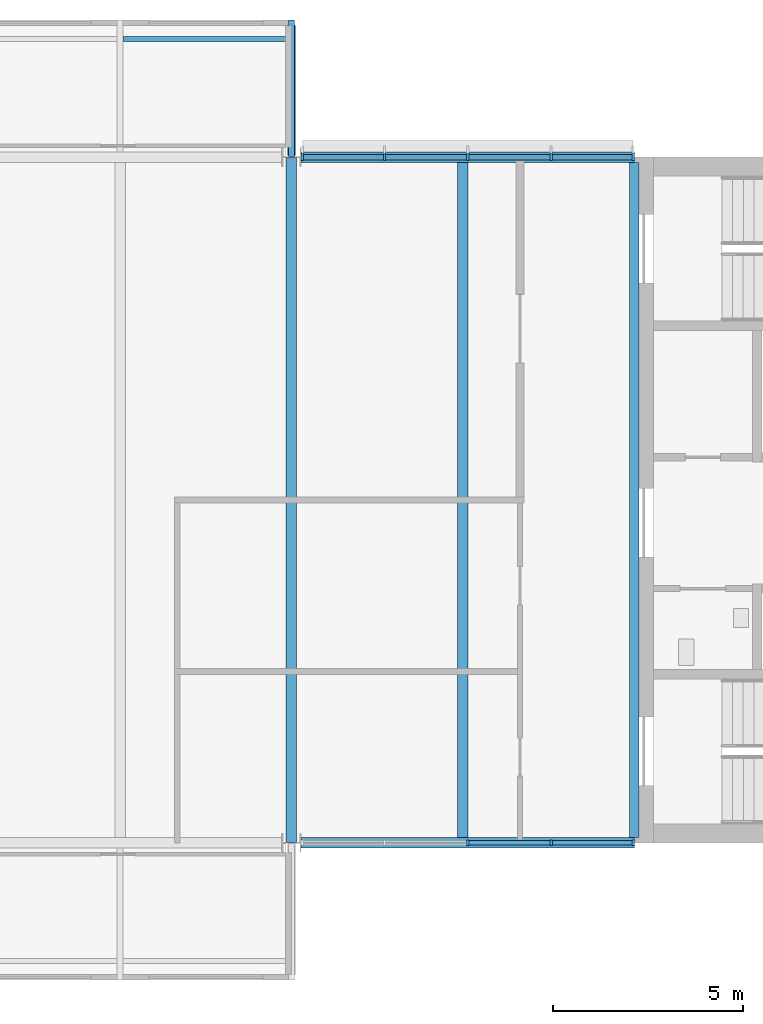
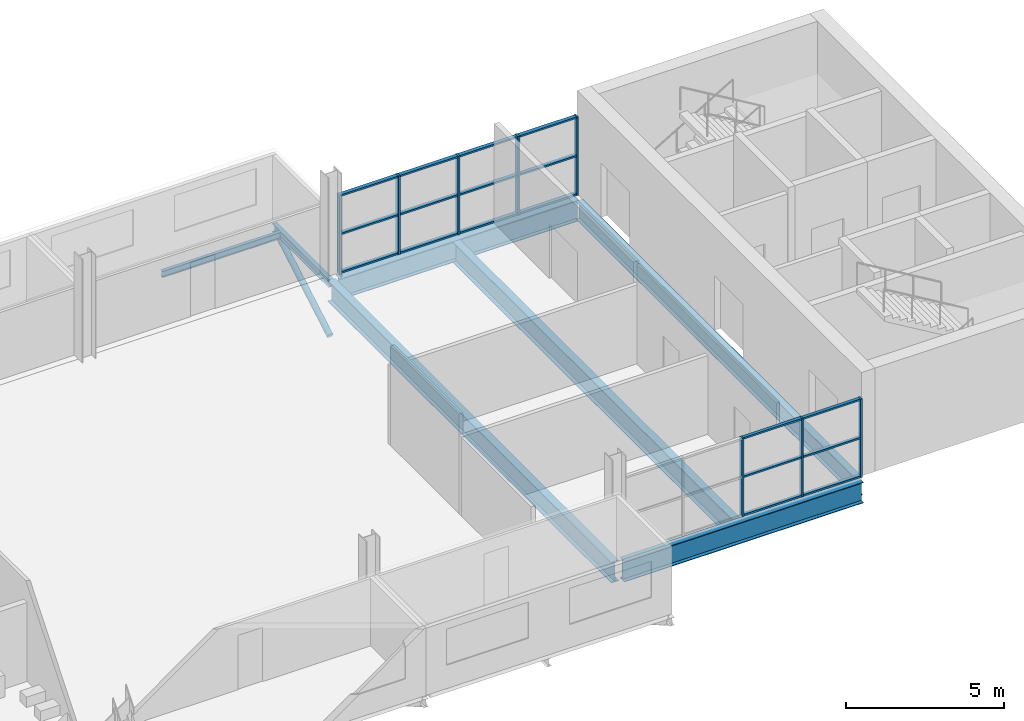
# One storey, part 3 of 10: 27 members, 7 beams, 2 elements without a shape of their own.
"""IFC4 building model written with IfcOpenShell, lengths in metres."""

from ifc_helpers import new_model, si_unit, direction, frame, origin, origin_2d, place, context, subcontext, project, spatial, rectangle, hollow_circle, i_section, extrude, material, layer, layer_set, material_profile, profile_set, type_object, element, aggregate, save


model = new_model("IFC4")

# Units and contexts
model_context = context("Model", 3, precision=1e-05, world=origin(), true_north=direction((0.0, 1.0)))
body_context = subcontext(model_context, "Body", "Model", "MODEL_VIEW")
ifc_project = project(units=[si_unit("LENGTHUNIT", "METRE"), si_unit("AREAUNIT", "SQUARE_METRE"), si_unit("VOLUMEUNIT", "CUBIC_METRE"), si_unit("PLANEANGLEUNIT", "RADIAN"), si_unit("MASSUNIT", "GRAM", prefix="KILO")], contexts=[model_context])

# Site, building, storey
site_placement = place(None, origin())
site = spatial("IfcSite", under=ifc_project, at=site_placement, CompositionType="ELEMENT")
building_placement = place(site_placement, origin())
building = spatial("IfcBuilding", under=site, at=building_placement, Name="Corbel Yard City Hall", CompositionType="ELEMENT")
storey_placement = place(building_placement, frame((0.0, 0.0, 19.199951171875)))
storey = spatial("IfcBuildingStorey", under=building, at=storey_placement, Name="L04", CompositionType="ELEMENT", Elevation=19.199951171875)

# Beams
ifc_material_1 = material(Name="Steel Grade 350", Category="steel")
ifc_material_profile_1 = material_profile(ifc_material_1, i_section(OverallWidth=0.27490234375, OverallDepth=0.81005859375, WebThickness=0.010009765625, FlangeThickness=0.02490234375, at=origin_2d()), Name="800WB168")
ifc_profile_set_1 = profile_set([ifc_material_profile_1], Name="Steel Grade 350")
beam_type_1 = type_object("IfcBeamType", Name="Edge beam 800WB168", PredefinedType="BEAM", material=ifc_profile_set_1)
for number, where, z_axis, x_axis, name in (
    (1, (36.257080078125, 99.0, -0.554931640625), (1.0, 0.0, 0.0), (0.0, 1.0, 0.0), "Edge beam 800WB168 EB3 L04tower"),
    (2, (36.257080078125, 117.0, -0.554931640625), (1.0, 0.0, 0.0), (0.0, 1.0, 0.0), "Edge beam 800WB168 EB3 L04tower"),
):
    element("IfcBeam", number, at=place(storey_placement, frame(where, z_axis=z_axis, x_axis=x_axis)), inside=storey, type_object=beam_type_1, Name=name, PredefinedType="BEAM", context=body_context, shape_type="SweptSolid", body=[
        extrude(i_section(OverallWidth=0.27490234375, OverallDepth=0.81005859375, WebThickness=0.010009765625, FlangeThickness=0.02490234375, at=origin_2d()), origin(), (0.0, 0.0, 1.0), 8.742919921875),
    ])
ifc_material_profile_2 = material_profile(ifc_material_1, i_section(OverallWidth=0.27490234375, OverallDepth=0.800048828125, WebThickness=0.010009765625, FlangeThickness=0.02001953125, at=origin_2d()), Name="800WB146")
ifc_profile_set_2 = profile_set([ifc_material_profile_2], Name="Steel Grade 350")
beam_type_2 = type_object("IfcBeamType", Name="Long-span beam 800WB146", PredefinedType="BEAM", material=ifc_profile_set_2)
beam_1_placement = place(storey_placement, frame((36.0, 99.012451171875, -0.550048828125), z_axis=(0.0, 1.0, 0.0), x_axis=(-1.0, 0.0, 0.0)))
element("IfcBeam", 3, at=beam_1_placement, inside=storey, type_object=beam_type_2, Name="Long-span beam 800WB146 SB8 L04tower", PredefinedType="BEAM", context=body_context, shape_type="SweptSolid", body=[
    extrude(i_section(OverallWidth=0.27490234375, OverallDepth=0.800048828125, WebThickness=0.010009765625, FlangeThickness=0.02001953125, at=origin_2d()), origin(), (0.0, 0.0, 1.0), 17.97509765625),
])
ifc_material_profile_3 = material_profile(ifc_material_1, i_section(OverallWidth=0.25, OverallDepth=0.7099609375, WebThickness=0.010009765625, FlangeThickness=0.02490234375, at=origin_2d()), Name="700WB150")
ifc_profile_set_3 = profile_set([ifc_material_profile_3], Name="Steel Grade 350")
beam_type_3 = type_object("IfcBeamType", Name="Long-span edge beam 700WB150", PredefinedType="BEAM", material=ifc_profile_set_3)
beam_2_placement = place(storey_placement, frame((45.0, 99.137451171875, -0.5048828125), z_axis=(0.0, 1.0, 0.0), x_axis=(-1.0, 0.0, 0.0)))
element("IfcBeam", 4, at=beam_2_placement, inside=storey, type_object=beam_type_3, Name="Long-span edge beam 700WB150 EB8 L04tower", PredefinedType="BEAM", context=body_context, shape_type="SweptSolid", body=[
    extrude(i_section(OverallWidth=0.25, OverallDepth=0.7099609375, WebThickness=0.010009765625, FlangeThickness=0.02490234375, at=origin_2d()), origin(), (0.0, 0.0, 1.0), 17.72509765625),
])
ifc_material_profile_4 = material_profile(ifc_material_1, i_section(OverallWidth=0.27490234375, OverallDepth=0.800048828125, WebThickness=0.010009765625, FlangeThickness=0.02001953125, at=origin_2d()), Name="800WB146")
ifc_profile_set_4 = profile_set([ifc_material_profile_4], Name="Steel Grade 350")
beam_type_4 = type_object("IfcBeamType", Name="Long-span secondary beam 800WB146", PredefinedType="JOIST", material=ifc_profile_set_4)
beam_3_placement = place(storey_placement, frame((40.5, 99.137451171875, -0.550048828125), z_axis=(0.0, 1.0, 0.0), x_axis=(-1.0, 0.0, 0.0)))
element("IfcBeam", 5, at=beam_3_placement, inside=storey, type_object=beam_type_4, Name="Long-span secondary beam 800WB146 SB7 L04tower", PredefinedType="JOIST", context=body_context, shape_type="SweptSolid", body=[
    extrude(i_section(OverallWidth=0.27490234375, OverallDepth=0.800048828125, WebThickness=0.010009765625, FlangeThickness=0.02001953125, at=origin_2d()), origin(), (0.0, 0.0, 1.0), 17.72509765625),
])

# Curtain wall, members
ifc_material_2 = material(Name="Aluminium extrusion", Category="aluminium")
ifc_layer_1 = layer(ifc_material_2, 0.14990234375)
ifc_layer_set_1 = layer_set([ifc_layer_1], Name="Aluminium extrusion")
curtain_wall_type_1 = type_object("IfcCurtainWallType", Name="CW2", PredefinedType="USERDEFINED", material=ifc_layer_set_1)
curtain_wall_1_placement = place(storey_placement, origin())
curtain_wall_1 = element("IfcCurtainWall", 6, at=curtain_wall_1_placement, inside=storey, type_object=curtain_wall_type_1, Name="Curtain wall CW2 L04", ObjectType="CURTAIN WALL", PredefinedType="USERDEFINED")
ifc_material_profile_5 = material_profile(ifc_material_2, rectangle(XDim=0.14990234375, YDim=0.06494140625, at=origin_2d()), Name="150x65")
ifc_profile_set_5 = profile_set([ifc_material_profile_5], Name="Aluminium extrusion")
member_type_1 = type_object("IfcMemberType", Name="ML2", PredefinedType="MULLION", material=ifc_profile_set_5)
member_1_placement = place(storey_placement, frame((40.62841796875, 99.0, 0.0), z_axis=(0.0, 0.0, 1.0), x_axis=(0.0, 1.0, 0.0)))
member_1 = element("IfcMember", 7, at=member_1_placement, type_object=member_type_1, Name="CW2 mullion 3", PredefinedType="MULLION", context=body_context, shape_type="SweptSolid", body=[
    extrude(rectangle(XDim=0.14990234375, YDim=0.06494140625, at=origin_2d()), origin(), (0.0, 0.0, 1.0), 3.0400390625),
])
member_2_placement = place(storey_placement, frame((42.814208984375, 99.0, 0.0), z_axis=(0.0, 0.0, 1.0), x_axis=(0.0, 1.0, 0.0)))
member_2 = element("IfcMember", 8, at=member_2_placement, type_object=member_type_1, Name="CW2 mullion 4", PredefinedType="MULLION", context=body_context, shape_type="SweptSolid", body=[
    extrude(rectangle(XDim=0.14990234375, YDim=0.06494140625, at=origin_2d()), origin(), (0.0, 0.0, 1.0), 3.0400390625),
])
member_3_placement = place(storey_placement, frame((44.967529296875, 99.0, 0.0), z_axis=(0.0, 0.0, 1.0), x_axis=(0.0, 1.0, 0.0)))
member_3 = element("IfcMember", 9, at=member_3_placement, type_object=member_type_1, Name="CW2 mullion 5", PredefinedType="MULLION", context=body_context, shape_type="SweptSolid", body=[
    extrude(rectangle(XDim=0.14990234375, YDim=0.06494140625, at=origin_2d()), origin(), (0.0, 0.0, 1.0), 3.0400390625),
])

ifc_layer_2 = layer(ifc_material_2, 0.179931640625)
ifc_layer_set_2 = layer_set([ifc_layer_2], Name="Aluminium extrusion")
curtain_wall_type_2 = type_object("IfcCurtainWallType", Name="CW6", PredefinedType="USERDEFINED", material=ifc_layer_set_2)
curtain_wall_2_placement = place(storey_placement, origin())
curtain_wall_2 = element("IfcCurtainWall", 10, at=curtain_wall_2_placement, inside=storey, type_object=curtain_wall_type_2, Name="Curtain wall CW6 L04", ObjectType="CURTAIN WALL", PredefinedType="USERDEFINED")
ifc_material_profile_6 = material_profile(ifc_material_2, rectangle(XDim=0.179931640625, YDim=0.06494140625, at=origin_2d()), Name="180x65")
ifc_profile_set_6 = profile_set([ifc_material_profile_6], Name="Aluminium extrusion")
member_type_2 = type_object("IfcMemberType", Name="ML6", PredefinedType="MULLION", material=ifc_profile_set_6)
member_4_placement = place(storey_placement, frame((36.28955078125, 117.0, 0.0), z_axis=(0.0, 0.0, 1.0), x_axis=(0.0, 1.0, 0.0)))
member_4 = element("IfcMember", 11, at=member_4_placement, type_object=member_type_2, Name="CW6 mullion 1", PredefinedType="MULLION", context=body_context, shape_type="SweptSolid", body=[
    extrude(rectangle(XDim=0.179931640625, YDim=0.06494140625, at=origin_2d()), origin(), (0.0, 0.0, 1.0), 3.0400390625),
])
member_5_placement = place(storey_placement, frame((38.44287109375, 117.0, 0.0), z_axis=(0.0, 0.0, 1.0), x_axis=(0.0, 1.0, 0.0)))
member_5 = element("IfcMember", 12, at=member_5_placement, type_object=member_type_2, Name="CW6 mullion 2", PredefinedType="MULLION", context=body_context, shape_type="SweptSolid", body=[
    extrude(rectangle(XDim=0.179931640625, YDim=0.06494140625, at=origin_2d()), origin(), (0.0, 0.0, 1.0), 3.0400390625),
])
member_6_placement = place(storey_placement, frame((40.62841796875, 117.0, 0.0), z_axis=(0.0, 0.0, 1.0), x_axis=(0.0, 1.0, 0.0)))
member_6 = element("IfcMember", 13, at=member_6_placement, type_object=member_type_2, Name="CW6 mullion 3", PredefinedType="MULLION", context=body_context, shape_type="SweptSolid", body=[
    extrude(rectangle(XDim=0.179931640625, YDim=0.06494140625, at=origin_2d()), origin(), (0.0, 0.0, 1.0), 3.0400390625),
])
member_7_placement = place(storey_placement, frame((42.814208984375, 117.0, 0.0), z_axis=(0.0, 0.0, 1.0), x_axis=(0.0, 1.0, 0.0)))
member_7 = element("IfcMember", 14, at=member_7_placement, type_object=member_type_2, Name="CW6 mullion 4", PredefinedType="MULLION", context=body_context, shape_type="SweptSolid", body=[
    extrude(rectangle(XDim=0.179931640625, YDim=0.06494140625, at=origin_2d()), origin(), (0.0, 0.0, 1.0), 3.0400390625),
])
member_8_placement = place(storey_placement, frame((44.967529296875, 117.0, 0.0), z_axis=(0.0, 0.0, 1.0), x_axis=(0.0, 1.0, 0.0)))
member_8 = element("IfcMember", 15, at=member_8_placement, type_object=member_type_2, Name="CW6 mullion 5", PredefinedType="MULLION", context=body_context, shape_type="SweptSolid", body=[
    extrude(rectangle(XDim=0.179931640625, YDim=0.06494140625, at=origin_2d()), origin(), (0.0, 0.0, 1.0), 3.0400390625),
])

# Member
ifc_material_3 = material(Name="Steel Grade C350L0", Category="steel")
ifc_material_profile_7 = material_profile(ifc_material_3, hollow_circle(Radius=0.109619140625, WallThickness=0.00830078125, at=origin_2d()), Name="219.1x8.2CHS")
ifc_profile_set_7 = profile_set([ifc_material_profile_7], Name="Steel Grade C350L0")
member_type_3 = type_object("IfcMemberType", Name="Pod knee brace", PredefinedType="BRACE", material=ifc_profile_set_7)
member_9_placement = place(storey_placement, frame((36.0, 120.43994140625, -0.4169921875), z_axis=(0.0, -0.864719662222, -0.502254821546), x_axis=(1.0, 0.0, 0.0)))
element("IfcMember", 16, at=member_9_placement, inside=storey, type_object=member_type_3, Name="Pod knee brace", PredefinedType="BRACE", context=body_context, shape_type="SweptSolid", body=[
    extrude(hollow_circle(Radius=0.109619140625, WallThickness=0.00830078125, at=origin_2d()), origin(), (0.0, 0.0, 1.0), 3.89990234375),
])

# Beams
ifc_material_4 = material(Name="Steel Grade 300 (300 MPa yield)", Category="steel")
ifc_material_profile_8 = material_profile(ifc_material_4, i_section(OverallWidth=0.166015625, OverallDepth=0.306884765625, WebThickness=0.006591796875, FlangeThickness=0.01171875, at=origin_2d()), Name="310UB46.2")
ifc_profile_set_8 = profile_set([ifc_material_profile_8], Name="Steel Grade 300 (300 MPa yield)")
beam_type_5 = type_object("IfcBeamType", Name="Pod stub beam 310UB46.2", PredefinedType="BEAM", material=ifc_profile_set_8)
beam_4_placement = place(storey_placement, frame((36.0, 117.012451171875, -0.303466796875), z_axis=(0.0, 1.0, 0.0), x_axis=(-1.0, 0.0, 0.0)))
element("IfcBeam", 17, at=beam_4_placement, inside=storey, type_object=beam_type_5, Name="Pod stub 310UB46.2 CB1 L04", PredefinedType="BEAM", context=body_context, shape_type="SweptSolid", body=[
    extrude(i_section(OverallWidth=0.166015625, OverallDepth=0.306884765625, WebThickness=0.006591796875, FlangeThickness=0.01171875, at=origin_2d()), origin(), (0.0, 0.0, 1.0), 3.587646484375),
])
ifc_material_profile_9 = material_profile(ifc_material_4, i_section(OverallWidth=0.1240234375, OverallDepth=0.248046875, WebThickness=0.0048828125, FlangeThickness=0.008056640625, at=origin_2d()), Name="250UB25.7")
ifc_profile_set_9 = profile_set([ifc_material_profile_9], Name="Steel Grade 300 (300 MPa yield)")
beam_type_6 = type_object("IfcBeamType", Name="Pod tip beam", PredefinedType="BEAM", material=ifc_profile_set_9)
beam_5_placement = place(storey_placement, frame((31.5830078125, 120.10009765625, -0.27392578125), z_axis=(1.0, 0.0, 0.0), x_axis=(0.0, 1.0, 0.0)))
element("IfcBeam", 18, at=beam_5_placement, inside=storey, type_object=beam_type_6, Name="Pod tip beam", PredefinedType="BEAM", context=body_context, shape_type="SweptSolid", body=[
    extrude(i_section(OverallWidth=0.1240234375, OverallDepth=0.248046875, WebThickness=0.0048828125, FlangeThickness=0.008056640625, at=origin_2d()), origin(), (0.0, 0.0, 1.0), 4.333984375),
])

# Member
ifc_material_profile_10 = material_profile(ifc_material_2, rectangle(XDim=0.1201171875, YDim=0.06494140625, at=origin_2d()), Name="120x65")
ifc_profile_set_10 = profile_set([ifc_material_profile_10], Name="Aluminium extrusion")
member_type_4 = type_object("IfcMemberType", Name="TR2", PredefinedType="USERDEFINED", material=ifc_profile_set_10)
member_10_placement = place(storey_placement, frame((40.660888671875, 99.0, 0.032470703125), z_axis=(1.0, 0.0, 0.0), x_axis=(0.0, 1.0, 0.0)))
member_10 = element("IfcMember", 19, at=member_10_placement, type_object=member_type_4, Name="CW2 transom 3.1", ObjectType="TRANSOM", PredefinedType="USERDEFINED", context=body_context, shape_type="SweptSolid", body=[
    extrude(rectangle(XDim=0.1201171875, YDim=0.06494140625, at=origin_2d()), origin(), (0.0, 0.0, 1.0), 2.120849609375),
])

member_11_placement = place(storey_placement, frame((40.660888671875, 99.0, 1.52001953125), z_axis=(1.0, 0.0, 0.0), x_axis=(0.0, 1.0, 0.0)))
member_11 = element("IfcMember", 20, at=member_11_placement, type_object=member_type_4, Name="CW2 transom 3.2", ObjectType="TRANSOM", PredefinedType="USERDEFINED", context=body_context, shape_type="SweptSolid", body=[
    extrude(rectangle(XDim=0.1201171875, YDim=0.06494140625, at=origin_2d()), origin(), (0.0, 0.0, 1.0), 2.120849609375),
])

member_12_placement = place(storey_placement, frame((40.660888671875, 99.0, 3.007568359375), z_axis=(1.0, 0.0, 0.0), x_axis=(0.0, 1.0, 0.0)))
member_12 = element("IfcMember", 21, at=member_12_placement, type_object=member_type_4, Name="CW2 transom 3.3", ObjectType="TRANSOM", PredefinedType="USERDEFINED", context=body_context, shape_type="SweptSolid", body=[
    extrude(rectangle(XDim=0.1201171875, YDim=0.06494140625, at=origin_2d()), origin(), (0.0, 0.0, 1.0), 2.120849609375),
])

member_13_placement = place(storey_placement, frame((42.8466796875, 99.0, 0.032470703125), z_axis=(1.0, 0.0, 0.0), x_axis=(0.0, 1.0, 0.0)))
member_13 = element("IfcMember", 22, at=member_13_placement, type_object=member_type_4, Name="CW2 transom 4.1", ObjectType="TRANSOM", PredefinedType="USERDEFINED", context=body_context, shape_type="SweptSolid", body=[
    extrude(rectangle(XDim=0.1201171875, YDim=0.06494140625, at=origin_2d()), origin(), (0.0, 0.0, 1.0), 2.08837890625),
])

member_14_placement = place(storey_placement, frame((42.8466796875, 99.0, 1.52001953125), z_axis=(1.0, 0.0, 0.0), x_axis=(0.0, 1.0, 0.0)))
member_14 = element("IfcMember", 23, at=member_14_placement, type_object=member_type_4, Name="CW2 transom 4.2", ObjectType="TRANSOM", PredefinedType="USERDEFINED", context=body_context, shape_type="SweptSolid", body=[
    extrude(rectangle(XDim=0.1201171875, YDim=0.06494140625, at=origin_2d()), origin(), (0.0, 0.0, 1.0), 2.08837890625),
])

member_15_placement = place(storey_placement, frame((42.8466796875, 99.0, 3.007568359375), z_axis=(1.0, 0.0, 0.0), x_axis=(0.0, 1.0, 0.0)))
member_15 = element("IfcMember", 24, at=member_15_placement, type_object=member_type_4, Name="CW2 transom 4.3", ObjectType="TRANSOM", PredefinedType="USERDEFINED", context=body_context, shape_type="SweptSolid", body=[
    extrude(rectangle(XDim=0.1201171875, YDim=0.06494140625, at=origin_2d()), origin(), (0.0, 0.0, 1.0), 2.08837890625),
])

aggregate(curtain_wall_1, [member_1, member_2, member_3, member_10, member_11, member_12, member_13, member_14, member_15])

ifc_material_profile_11 = material_profile(ifc_material_2, rectangle(XDim=0.139892578125, YDim=0.06494140625, at=origin_2d()), Name="140x65")
ifc_profile_set_11 = profile_set([ifc_material_profile_11], Name="Aluminium extrusion")
member_type_5 = type_object("IfcMemberType", Name="TR6", PredefinedType="USERDEFINED", material=ifc_profile_set_11)
member_16_placement = place(storey_placement, frame((36.322021484375, 117.0, 0.032470703125), z_axis=(1.0, 0.0, 0.0), x_axis=(0.0, 1.0, 0.0)))
member_16 = element("IfcMember", 25, at=member_16_placement, type_object=member_type_5, Name="CW6 transom 1.1", ObjectType="TRANSOM", PredefinedType="USERDEFINED", context=body_context, shape_type="SweptSolid", body=[
    extrude(rectangle(XDim=0.139892578125, YDim=0.06494140625, at=origin_2d()), origin(), (0.0, 0.0, 1.0), 2.088134765625),
])

member_17_placement = place(storey_placement, frame((36.322021484375, 117.0, 1.52001953125), z_axis=(1.0, 0.0, 0.0), x_axis=(0.0, 1.0, 0.0)))
member_17 = element("IfcMember", 26, at=member_17_placement, type_object=member_type_5, Name="CW6 transom 1.2", ObjectType="TRANSOM", PredefinedType="USERDEFINED", context=body_context, shape_type="SweptSolid", body=[
    extrude(rectangle(XDim=0.139892578125, YDim=0.06494140625, at=origin_2d()), origin(), (0.0, 0.0, 1.0), 2.088134765625),
])

member_18_placement = place(storey_placement, frame((36.322021484375, 117.0, 3.007568359375), z_axis=(1.0, 0.0, 0.0), x_axis=(0.0, 1.0, 0.0)))
member_18 = element("IfcMember", 27, at=member_18_placement, type_object=member_type_5, Name="CW6 transom 1.3", ObjectType="TRANSOM", PredefinedType="USERDEFINED", context=body_context, shape_type="SweptSolid", body=[
    extrude(rectangle(XDim=0.139892578125, YDim=0.06494140625, at=origin_2d()), origin(), (0.0, 0.0, 1.0), 2.088134765625),
])

member_19_placement = place(storey_placement, frame((38.475341796875, 117.0, 0.032470703125), z_axis=(1.0, 0.0, 0.0), x_axis=(0.0, 1.0, 0.0)))
member_19 = element("IfcMember", 28, at=member_19_placement, type_object=member_type_5, Name="CW6 transom 2.1", ObjectType="TRANSOM", PredefinedType="USERDEFINED", context=body_context, shape_type="SweptSolid", body=[
    extrude(rectangle(XDim=0.139892578125, YDim=0.06494140625, at=origin_2d()), origin(), (0.0, 0.0, 1.0), 2.12060546875),
])

member_20_placement = place(storey_placement, frame((38.475341796875, 117.0, 1.52001953125), z_axis=(1.0, 0.0, 0.0), x_axis=(0.0, 1.0, 0.0)))
member_20 = element("IfcMember", 29, at=member_20_placement, type_object=member_type_5, Name="CW6 transom 2.2", ObjectType="TRANSOM", PredefinedType="USERDEFINED", context=body_context, shape_type="SweptSolid", body=[
    extrude(rectangle(XDim=0.139892578125, YDim=0.06494140625, at=origin_2d()), origin(), (0.0, 0.0, 1.0), 2.12060546875),
])

member_21_placement = place(storey_placement, frame((38.475341796875, 117.0, 3.007568359375), z_axis=(1.0, 0.0, 0.0), x_axis=(0.0, 1.0, 0.0)))
member_21 = element("IfcMember", 30, at=member_21_placement, type_object=member_type_5, Name="CW6 transom 2.3", ObjectType="TRANSOM", PredefinedType="USERDEFINED", context=body_context, shape_type="SweptSolid", body=[
    extrude(rectangle(XDim=0.139892578125, YDim=0.06494140625, at=origin_2d()), origin(), (0.0, 0.0, 1.0), 2.12060546875),
])

member_22_placement = place(storey_placement, frame((40.660888671875, 117.0, 0.032470703125), z_axis=(1.0, 0.0, 0.0), x_axis=(0.0, 1.0, 0.0)))
member_22 = element("IfcMember", 31, at=member_22_placement, type_object=member_type_5, Name="CW6 transom 3.1", ObjectType="TRANSOM", PredefinedType="USERDEFINED", context=body_context, shape_type="SweptSolid", body=[
    extrude(rectangle(XDim=0.139892578125, YDim=0.06494140625, at=origin_2d()), origin(), (0.0, 0.0, 1.0), 2.120849609375),
])

member_23_placement = place(storey_placement, frame((40.660888671875, 117.0, 1.52001953125), z_axis=(1.0, 0.0, 0.0), x_axis=(0.0, 1.0, 0.0)))
member_23 = element("IfcMember", 32, at=member_23_placement, type_object=member_type_5, Name="CW6 transom 3.2", ObjectType="TRANSOM", PredefinedType="USERDEFINED", context=body_context, shape_type="SweptSolid", body=[
    extrude(rectangle(XDim=0.139892578125, YDim=0.06494140625, at=origin_2d()), origin(), (0.0, 0.0, 1.0), 2.120849609375),
])

member_24_placement = place(storey_placement, frame((40.660888671875, 117.0, 3.007568359375), z_axis=(1.0, 0.0, 0.0), x_axis=(0.0, 1.0, 0.0)))
member_24 = element("IfcMember", 33, at=member_24_placement, type_object=member_type_5, Name="CW6 transom 3.3", ObjectType="TRANSOM", PredefinedType="USERDEFINED", context=body_context, shape_type="SweptSolid", body=[
    extrude(rectangle(XDim=0.139892578125, YDim=0.06494140625, at=origin_2d()), origin(), (0.0, 0.0, 1.0), 2.120849609375),
])

member_25_placement = place(storey_placement, frame((42.8466796875, 117.0, 0.032470703125), z_axis=(1.0, 0.0, 0.0), x_axis=(0.0, 1.0, 0.0)))
member_25 = element("IfcMember", 34, at=member_25_placement, type_object=member_type_5, Name="CW6 transom 4.1", ObjectType="TRANSOM", PredefinedType="USERDEFINED", context=body_context, shape_type="SweptSolid", body=[
    extrude(rectangle(XDim=0.139892578125, YDim=0.06494140625, at=origin_2d()), origin(), (0.0, 0.0, 1.0), 2.08837890625),
])

member_26_placement = place(storey_placement, frame((42.8466796875, 117.0, 1.52001953125), z_axis=(1.0, 0.0, 0.0), x_axis=(0.0, 1.0, 0.0)))
member_26 = element("IfcMember", 35, at=member_26_placement, type_object=member_type_5, Name="CW6 transom 4.2", ObjectType="TRANSOM", PredefinedType="USERDEFINED", context=body_context, shape_type="SweptSolid", body=[
    extrude(rectangle(XDim=0.139892578125, YDim=0.06494140625, at=origin_2d()), origin(), (0.0, 0.0, 1.0), 2.08837890625),
])

member_27_placement = place(storey_placement, frame((42.8466796875, 117.0, 3.007568359375), z_axis=(1.0, 0.0, 0.0), x_axis=(0.0, 1.0, 0.0)))
member_27 = element("IfcMember", 36, at=member_27_placement, type_object=member_type_5, Name="CW6 transom 4.3", ObjectType="TRANSOM", PredefinedType="USERDEFINED", context=body_context, shape_type="SweptSolid", body=[
    extrude(rectangle(XDim=0.139892578125, YDim=0.06494140625, at=origin_2d()), origin(), (0.0, 0.0, 1.0), 2.08837890625),
])

aggregate(curtain_wall_2, [member_4, member_5, member_6, member_7, member_8, member_16, member_17, member_18, member_19, member_20, member_21, member_22, member_23, member_24, member_25, member_26, member_27])

save(model, "model.ifc")
